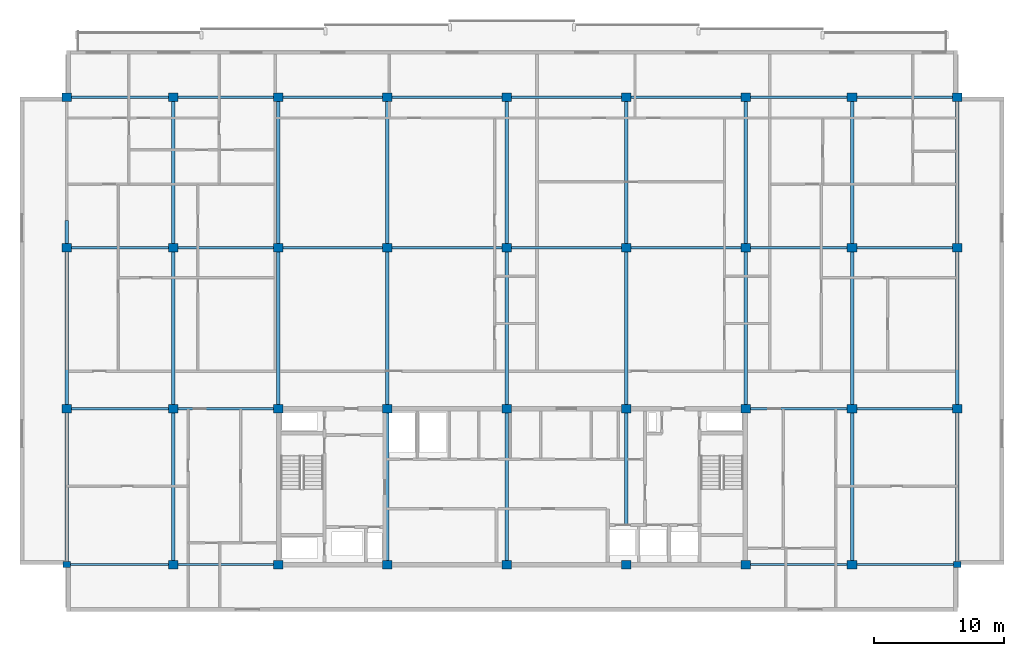
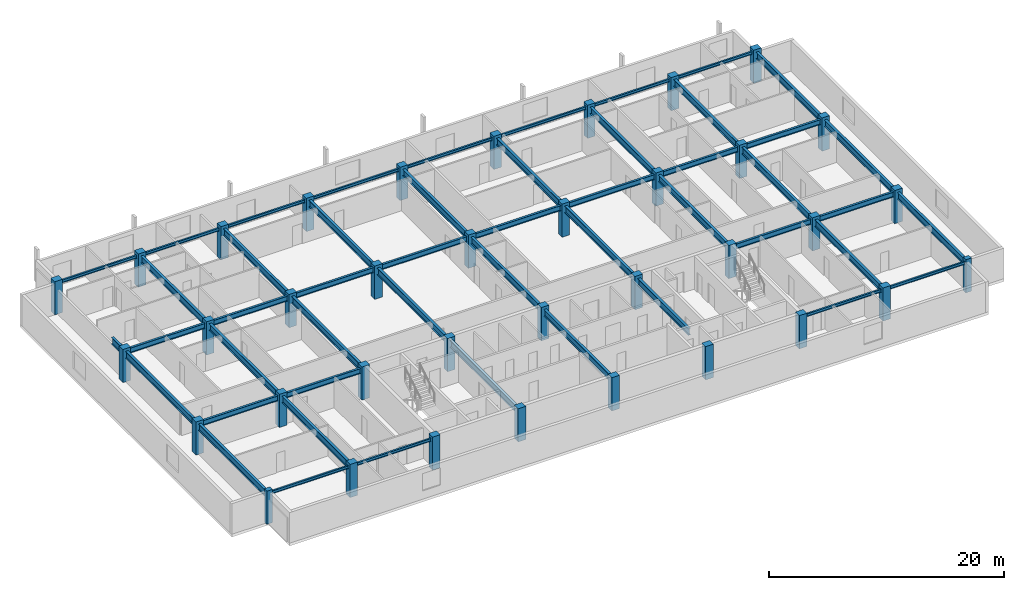
# One storey, part 1 of 10: 49 beams, 36 columns.
"""IFC4 building model written with IfcOpenShell, lengths in metres."""

from ifc_helpers import new_model, si_unit, direction, frame, origin, origin_2d, place, context, subcontext, project, spatial, rectangle, i_section, extrude, material, material_profile, profile_set, type_object, element, save


model = new_model("IFC4")

# Units and contexts
model_context = context("Model", 3, precision=1e-05, world=origin(), true_north=direction((0.0, 1.0)))
body_context = subcontext(model_context, "Body", "Model", "MODEL_VIEW")
ifc_project = project(units=[si_unit("LENGTHUNIT", "METRE"), si_unit("AREAUNIT", "SQUARE_METRE"), si_unit("VOLUMEUNIT", "CUBIC_METRE"), si_unit("PLANEANGLEUNIT", "RADIAN"), si_unit("MASSUNIT", "GRAM", prefix="KILO")], contexts=[model_context])

# Site, building, storey
site_placement = place(None, origin())
site = spatial("IfcSite", under=ifc_project, at=site_placement, CompositionType="ELEMENT")
building_placement = place(site_placement, origin())
building = spatial("IfcBuilding", under=site, at=building_placement, Name="Korimba Cascade Residences", CompositionType="ELEMENT")
storey_placement = place(building_placement, frame((0.0, 0.0, 242.449951171875)))
storey = spatial("IfcBuildingStorey", under=building, at=storey_placement, Name="L70", CompositionType="ELEMENT", Elevation=242.449951171875)

# Columns
ifc_material_1 = material(Name="Concrete C65/80", Category="concrete")
ifc_material_profile_1 = material_profile(ifc_material_1, rectangle(XDim=0.550048828125, YDim=0.449951171875, at=origin_2d()), Name="Concrete C65/80")
ifc_profile_set_1 = profile_set([ifc_material_profile_1], Name="Concrete C65/80")
column_type_1 = type_object("IfcColumnType", Name="COL-PIL-550", PredefinedType="PILASTER", material=ifc_profile_set_1)
for number, where, z_axis, x_axis, name in (
    (1, (59.800048828125, 55.199951171875, 0.0), (0.0, 0.0, 1.0), (1.0, 0.0, 0.0), "L70 Tower 1 Column 1.1"),
    (2, (128.39990234375, 55.199951171875, 0.0), (0.0, 0.0, 1.0), (1.0, 0.0, 0.0), "L70 Tower 1 Column 9.1"),
):
    element("IfcColumn", number, at=place(storey_placement, frame(where, z_axis=z_axis, x_axis=x_axis)), inside=storey, type_object=column_type_1, Name=name, PredefinedType="PILASTER", context=body_context, shape_type="SweptSolid", body=[
        extrude(rectangle(XDim=0.550048828125, YDim=0.449951171875, at=origin_2d()), origin(), (0.0, 0.0, 1.0), 3.449951171875),
    ])
ifc_material_2 = material(Name="Concrete C50/60", Category="concrete")
ifc_material_profile_2 = material_profile(ifc_material_2, rectangle(XDim=0.75, YDim=0.64990234375, at=origin_2d()), Name="Concrete C50/60")
ifc_profile_set_2 = profile_set([ifc_material_profile_2], Name="Concrete C50/60")
column_type_2 = type_object("IfcColumnType", Name="COL-RC-750", PredefinedType="COLUMN", material=ifc_profile_set_2)
for number, where, z_axis, x_axis, name in (
    (3, (59.800048828125, 67.199951171875, 0.0), (0.0, 0.0, 1.0), (1.0, 0.0, 0.0), "L70 Tower 1 Column 1.2"),
    (4, (59.800048828125, 79.60009765625, 0.0), (0.0, 0.0, 1.0), (1.0, 0.0, 0.0), "L70 Tower 1 Column 1.3"),
    (5, (59.800048828125, 91.199951171875, 0.0), (0.0, 0.0, 1.0), (1.0, 0.0, 0.0), "L70 Tower 1 Column 1.4"),
    (6, (68.0, 55.199951171875, 0.0), (0.0, 0.0, 1.0), (1.0, 0.0, 0.0), "L70 Tower 1 Column 2.1"),
    (7, (68.0, 67.199951171875, 0.0), (0.0, 0.0, 1.0), (1.0, 0.0, 0.0), "L70 Tower 1 Column 2.2"),
    (8, (68.0, 79.60009765625, 0.0), (0.0, 0.0, 1.0), (1.0, 0.0, 0.0), "L70 Tower 1 Column 2.3"),
    (9, (68.0, 91.199951171875, 0.0), (0.0, 0.0, 1.0), (1.0, 0.0, 0.0), "L70 Tower 1 Column 2.4"),
    (10, (76.10009765625, 55.199951171875, 0.0), (0.0, 0.0, 1.0), (1.0, 0.0, 0.0), "L70 Tower 1 Column 3.1"),
    (11, (76.10009765625, 67.199951171875, 0.0), (0.0, 0.0, 1.0), (1.0, 0.0, 0.0), "L70 Tower 1 Column 3.2"),
    (12, (76.10009765625, 79.60009765625, 0.0), (0.0, 0.0, 1.0), (1.0, 0.0, 0.0), "L70 Tower 1 Column 3.3"),
    (13, (76.10009765625, 91.199951171875, 0.0), (0.0, 0.0, 1.0), (1.0, 0.0, 0.0), "L70 Tower 1 Column 3.4"),
    (14, (84.5, 55.199951171875, 0.0), (0.0, 0.0, 1.0), (1.0, 0.0, 0.0), "L70 Tower 1 Column 4.1"),
    (15, (84.5, 67.199951171875, 0.0), (0.0, 0.0, 1.0), (1.0, 0.0, 0.0), "L70 Tower 1 Column 4.2"),
    (16, (84.5, 79.60009765625, 0.0), (0.0, 0.0, 1.0), (1.0, 0.0, 0.0), "L70 Tower 1 Column 4.3"),
    (17, (84.5, 91.199951171875, 0.0), (0.0, 0.0, 1.0), (1.0, 0.0, 0.0), "L70 Tower 1 Column 4.4"),
    (18, (93.699951171875, 55.199951171875, 0.0), (0.0, 0.0, 1.0), (1.0, 0.0, 0.0), "L70 Tower 1 Column 5.1"),
    (19, (93.699951171875, 67.199951171875, 0.0), (0.0, 0.0, 1.0), (1.0, 0.0, 0.0), "L70 Tower 1 Column 5.2"),
    (20, (93.699951171875, 79.60009765625, 0.0), (0.0, 0.0, 1.0), (1.0, 0.0, 0.0), "L70 Tower 1 Column 5.3"),
    (21, (93.699951171875, 91.199951171875, 0.0), (0.0, 0.0, 1.0), (1.0, 0.0, 0.0), "L70 Tower 1 Column 5.4"),
    (22, (102.89990234375, 55.199951171875, 0.0), (0.0, 0.0, 1.0), (1.0, 0.0, 0.0), "L70 Tower 1 Column 6.1"),
    (23, (102.89990234375, 67.199951171875, 0.0), (0.0, 0.0, 1.0), (1.0, 0.0, 0.0), "L70 Tower 1 Column 6.2"),
    (24, (102.89990234375, 79.60009765625, 0.0), (0.0, 0.0, 1.0), (1.0, 0.0, 0.0), "L70 Tower 1 Column 6.3"),
    (25, (102.89990234375, 91.199951171875, 0.0), (0.0, 0.0, 1.0), (1.0, 0.0, 0.0), "L70 Tower 1 Column 6.4"),
    (26, (112.10009765625, 55.199951171875, 0.0), (0.0, 0.0, 1.0), (1.0, 0.0, 0.0), "L70 Tower 1 Column 7.1"),
    (27, (112.10009765625, 67.199951171875, 0.0), (0.0, 0.0, 1.0), (1.0, 0.0, 0.0), "L70 Tower 1 Column 7.2"),
    (28, (112.10009765625, 79.60009765625, 0.0), (0.0, 0.0, 1.0), (1.0, 0.0, 0.0), "L70 Tower 1 Column 7.3"),
    (29, (112.10009765625, 91.199951171875, 0.0), (0.0, 0.0, 1.0), (1.0, 0.0, 0.0), "L70 Tower 1 Column 7.4"),
    (30, (120.300048828125, 55.199951171875, 0.0), (0.0, 0.0, 1.0), (1.0, 0.0, 0.0), "L70 Tower 1 Column 8.1"),
    (31, (120.300048828125, 67.199951171875, 0.0), (0.0, 0.0, 1.0), (1.0, 0.0, 0.0), "L70 Tower 1 Column 8.2"),
    (32, (120.300048828125, 79.60009765625, 0.0), (0.0, 0.0, 1.0), (1.0, 0.0, 0.0), "L70 Tower 1 Column 8.3"),
    (33, (120.300048828125, 91.199951171875, 0.0), (0.0, 0.0, 1.0), (1.0, 0.0, 0.0), "L70 Tower 1 Column 8.4"),
    (34, (128.39990234375, 67.199951171875, 0.0), (0.0, 0.0, 1.0), (1.0, 0.0, 0.0), "L70 Tower 1 Column 9.2"),
    (35, (128.39990234375, 79.60009765625, 0.0), (0.0, 0.0, 1.0), (1.0, 0.0, 0.0), "L70 Tower 1 Column 9.3"),
    (36, (128.39990234375, 91.199951171875, 0.0), (0.0, 0.0, 1.0), (1.0, 0.0, 0.0), "L70 Tower 1 Column 9.4"),
):
    element("IfcColumn", number, at=place(storey_placement, frame(where, z_axis=z_axis, x_axis=x_axis)), inside=storey, type_object=column_type_2, Name=name, PredefinedType="COLUMN", context=body_context, shape_type="SweptSolid", body=[
        extrude(rectangle(XDim=0.75, YDim=0.64990234375, at=origin_2d()), origin(), (0.0, 0.0, 1.0), 3.449951171875),
    ])

# Beams
ifc_material_3 = material(Name="Steel S355", Category="steel")
ifc_material_profile_3 = material_profile(ifc_material_3, i_section(OverallWidth=0.165771484375, OverallDepth=0.306640625, WebThickness=0.006591796875, FlangeThickness=0.01171875, FilletRadius=0.0087890625, at=origin_2d()), Name="Steel S355")
ifc_profile_set_3 = profile_set([ifc_material_profile_3], Name="Steel S355")
beam_type_1 = type_object("IfcBeamType", Name="BM-STL-UB305", PredefinedType="SPANDREL", material=ifc_profile_set_3)
beam_1_placement = place(storey_placement, frame((60.074951171875, 55.199951171875, 3.016845703125), z_axis=(1.0, 0.0, 0.0), x_axis=(0.0, 1.0, 0.0)))
element("IfcBeam", 37, at=beam_1_placement, inside=storey, type_object=beam_type_1, Name="L70 T1 E-W Girder Y1 Bay 1", PredefinedType="SPANDREL", context=body_context, shape_type="SweptSolid", body=[
    extrude(i_section(OverallWidth=0.165771484375, OverallDepth=0.306640625, WebThickness=0.006591796875, FlangeThickness=0.01171875, FilletRadius=0.0087890625, at=origin_2d()), origin(), (0.0, 0.0, 1.0), 7.550048828125),
])
beam_2_placement = place(storey_placement, frame((68.375, 55.199951171875, 3.016845703125), z_axis=(1.0, 0.0, 0.0), x_axis=(0.0, 1.0, 0.0)))
element("IfcBeam", 38, at=beam_2_placement, inside=storey, type_object=beam_type_1, Name="L70 T1 E-W Girder Y1 Bay 2", PredefinedType="SPANDREL", context=body_context, shape_type="SweptSolid", body=[
    extrude(i_section(OverallWidth=0.165771484375, OverallDepth=0.306640625, WebThickness=0.006591796875, FlangeThickness=0.01171875, FilletRadius=0.0087890625, at=origin_2d()), origin(), (0.0, 0.0, 1.0), 7.35009765625),
])
for number, where, z_axis, x_axis, name in (
    (39, (112.47509765625, 55.199951171875, 3.016845703125), (1.0, 0.0, 0.0), (0.0, 1.0, 0.0), "L70 T1 E-W Girder Y1 Bay 7"),
    (40, (120.675048828125, 55.199951171875, 3.016845703125), (1.0, 0.0, 0.0), (0.0, 1.0, 0.0), "L70 T1 E-W Girder Y1 Bay 8"),
    (41, (60.175048828125, 91.199951171875, 3.016845703125), (1.0, 0.0, 0.0), (0.0, 1.0, 0.0), "L70 T1 E-W Girder Y4 Bay 1"),
):
    element("IfcBeam", number, at=place(storey_placement, frame(where, z_axis=z_axis, x_axis=x_axis)), inside=storey, type_object=beam_type_1, Name=name, PredefinedType="SPANDREL", context=body_context, shape_type="SweptSolid", body=[
        extrude(i_section(OverallWidth=0.165771484375, OverallDepth=0.306640625, WebThickness=0.006591796875, FlangeThickness=0.01171875, FilletRadius=0.0087890625, at=origin_2d()), origin(), (0.0, 0.0, 1.0), 7.449951171875),
    ])
beam_3_placement = place(storey_placement, frame((68.375, 91.199951171875, 3.016845703125), z_axis=(1.0, 0.0, 0.0), x_axis=(0.0, 1.0, 0.0)))
element("IfcBeam", 42, at=beam_3_placement, inside=storey, type_object=beam_type_1, Name="L70 T1 E-W Girder Y4 Bay 2", PredefinedType="SPANDREL", context=body_context, shape_type="SweptSolid", body=[
    extrude(i_section(OverallWidth=0.165771484375, OverallDepth=0.306640625, WebThickness=0.006591796875, FlangeThickness=0.01171875, FilletRadius=0.0087890625, at=origin_2d()), origin(), (0.0, 0.0, 1.0), 7.35009765625),
])
beam_4_placement = place(storey_placement, frame((76.47509765625, 91.199951171875, 3.016845703125), z_axis=(1.0, 0.0, 0.0), x_axis=(0.0, 1.0, 0.0)))
element("IfcBeam", 43, at=beam_4_placement, inside=storey, type_object=beam_type_1, Name="L70 T1 E-W Girder Y4 Bay 3", PredefinedType="SPANDREL", context=body_context, shape_type="SweptSolid", body=[
    extrude(i_section(OverallWidth=0.165771484375, OverallDepth=0.306640625, WebThickness=0.006591796875, FlangeThickness=0.01171875, FilletRadius=0.0087890625, at=origin_2d()), origin(), (0.0, 0.0, 1.0), 7.64990234375),
])
for number, where, z_axis, x_axis, name in (
    (44, (84.875, 91.199951171875, 3.016845703125), (1.0, 0.0, 0.0), (0.0, 1.0, 0.0), "L70 T1 E-W Girder Y4 Bay 4"),
    (45, (94.074951171875, 91.199951171875, 3.016845703125), (1.0, 0.0, 0.0), (0.0, 1.0, 0.0), "L70 T1 E-W Girder Y4 Bay 5"),
):
    element("IfcBeam", number, at=place(storey_placement, frame(where, z_axis=z_axis, x_axis=x_axis)), inside=storey, type_object=beam_type_1, Name=name, PredefinedType="SPANDREL", context=body_context, shape_type="SweptSolid", body=[
        extrude(i_section(OverallWidth=0.165771484375, OverallDepth=0.306640625, WebThickness=0.006591796875, FlangeThickness=0.01171875, FilletRadius=0.0087890625, at=origin_2d()), origin(), (0.0, 0.0, 1.0), 8.449951171875),
    ])
beam_5_placement = place(storey_placement, frame((103.27490234375, 91.199951171875, 3.016845703125), z_axis=(1.0, 0.0, 0.0), x_axis=(0.0, 1.0, 0.0)))
element("IfcBeam", 46, at=beam_5_placement, inside=storey, type_object=beam_type_1, Name="L70 T1 E-W Girder Y4 Bay 6", PredefinedType="SPANDREL", context=body_context, shape_type="SweptSolid", body=[
    extrude(i_section(OverallWidth=0.165771484375, OverallDepth=0.306640625, WebThickness=0.006591796875, FlangeThickness=0.01171875, FilletRadius=0.0087890625, at=origin_2d()), origin(), (0.0, 0.0, 1.0), 8.4501953125),
])
beam_6_placement = place(storey_placement, frame((112.47509765625, 91.199951171875, 3.016845703125), z_axis=(1.0, 0.0, 0.0), x_axis=(0.0, 1.0, 0.0)))
element("IfcBeam", 47, at=beam_6_placement, inside=storey, type_object=beam_type_1, Name="L70 T1 E-W Girder Y4 Bay 7", PredefinedType="SPANDREL", context=body_context, shape_type="SweptSolid", body=[
    extrude(i_section(OverallWidth=0.165771484375, OverallDepth=0.306640625, WebThickness=0.006591796875, FlangeThickness=0.01171875, FilletRadius=0.0087890625, at=origin_2d()), origin(), (0.0, 0.0, 1.0), 7.449951171875),
])
beam_7_placement = place(storey_placement, frame((120.675048828125, 91.199951171875, 3.016845703125), z_axis=(1.0, 0.0, 0.0), x_axis=(0.0, 1.0, 0.0)))
element("IfcBeam", 48, at=beam_7_placement, inside=storey, type_object=beam_type_1, Name="L70 T1 E-W Girder Y4 Bay 8", PredefinedType="SPANDREL", context=body_context, shape_type="SweptSolid", body=[
    extrude(i_section(OverallWidth=0.165771484375, OverallDepth=0.306640625, WebThickness=0.006591796875, FlangeThickness=0.01171875, FilletRadius=0.0087890625, at=origin_2d()), origin(), (0.0, 0.0, 1.0), 7.349853515625),
])
ifc_material_profile_4 = material_profile(ifc_material_3, i_section(OverallWidth=0.2099609375, OverallDepth=0.53662109375, WebThickness=0.0107421875, FlangeThickness=0.017333984375, FilletRadius=0.0126953125, at=origin_2d()), Name="Steel S355")
ifc_profile_set_4 = profile_set([ifc_material_profile_4], Name="Steel S355")
beam_type_2 = type_object("IfcBeamType", Name="BM-STL-UB533", PredefinedType="BEAM", material=ifc_profile_set_4)
beam_8_placement = place(storey_placement, frame((60.175048828125, 67.199951171875, 2.90185546875), z_axis=(1.0, 0.0, 0.0), x_axis=(0.0, 1.0, 0.0)))
element("IfcBeam", 49, at=beam_8_placement, inside=storey, type_object=beam_type_2, Name="L70 T1 E-W Girder Y2 Bay 1", PredefinedType="BEAM", context=body_context, shape_type="SweptSolid", body=[
    extrude(i_section(OverallWidth=0.2099609375, OverallDepth=0.53662109375, WebThickness=0.0107421875, FlangeThickness=0.017333984375, FilletRadius=0.0126953125, at=origin_2d()), origin(), (0.0, 0.0, 1.0), 7.449951171875),
])
beam_9_placement = place(storey_placement, frame((68.375, 67.199951171875, 2.90185546875), z_axis=(1.0, 0.0, 0.0), x_axis=(0.0, 1.0, 0.0)))
element("IfcBeam", 50, at=beam_9_placement, inside=storey, type_object=beam_type_2, Name="L70 T1 E-W Girder Y2 Bay 2", PredefinedType="BEAM", context=body_context, shape_type="SweptSolid", body=[
    extrude(i_section(OverallWidth=0.2099609375, OverallDepth=0.53662109375, WebThickness=0.0107421875, FlangeThickness=0.017333984375, FilletRadius=0.0126953125, at=origin_2d()), origin(), (0.0, 0.0, 1.0), 7.35009765625),
])
beam_10_placement = place(storey_placement, frame((112.47509765625, 67.199951171875, 2.90185546875), z_axis=(1.0, 0.0, 0.0), x_axis=(0.0, 1.0, 0.0)))
element("IfcBeam", 51, at=beam_10_placement, inside=storey, type_object=beam_type_2, Name="L70 T1 E-W Girder Y2 Bay 7", PredefinedType="BEAM", context=body_context, shape_type="SweptSolid", body=[
    extrude(i_section(OverallWidth=0.2099609375, OverallDepth=0.53662109375, WebThickness=0.0107421875, FlangeThickness=0.017333984375, FilletRadius=0.0126953125, at=origin_2d()), origin(), (0.0, 0.0, 1.0), 7.449951171875),
])
beam_11_placement = place(storey_placement, frame((120.675048828125, 67.199951171875, 2.90185546875), z_axis=(1.0, 0.0, 0.0), x_axis=(0.0, 1.0, 0.0)))
element("IfcBeam", 52, at=beam_11_placement, inside=storey, type_object=beam_type_2, Name="L70 T1 E-W Girder Y2 Bay 8", PredefinedType="BEAM", context=body_context, shape_type="SweptSolid", body=[
    extrude(i_section(OverallWidth=0.2099609375, OverallDepth=0.53662109375, WebThickness=0.0107421875, FlangeThickness=0.017333984375, FilletRadius=0.0126953125, at=origin_2d()), origin(), (0.0, 0.0, 1.0), 7.349853515625),
])
beam_12_placement = place(storey_placement, frame((60.175048828125, 79.60009765625, 2.90185546875), z_axis=(1.0, 0.0, 0.0), x_axis=(0.0, 1.0, 0.0)))
element("IfcBeam", 53, at=beam_12_placement, inside=storey, type_object=beam_type_2, Name="L70 T1 E-W Girder Y3 Bay 1", PredefinedType="BEAM", context=body_context, shape_type="SweptSolid", body=[
    extrude(i_section(OverallWidth=0.2099609375, OverallDepth=0.53662109375, WebThickness=0.0107421875, FlangeThickness=0.017333984375, FilletRadius=0.0126953125, at=origin_2d()), origin(), (0.0, 0.0, 1.0), 7.449951171875),
])
beam_13_placement = place(storey_placement, frame((68.375, 79.60009765625, 2.90185546875), z_axis=(1.0, 0.0, 0.0), x_axis=(0.0, 1.0, 0.0)))
element("IfcBeam", 54, at=beam_13_placement, inside=storey, type_object=beam_type_2, Name="L70 T1 E-W Girder Y3 Bay 2", PredefinedType="BEAM", context=body_context, shape_type="SweptSolid", body=[
    extrude(i_section(OverallWidth=0.2099609375, OverallDepth=0.53662109375, WebThickness=0.0107421875, FlangeThickness=0.017333984375, FilletRadius=0.0126953125, at=origin_2d()), origin(), (0.0, 0.0, 1.0), 7.35009765625),
])
beam_14_placement = place(storey_placement, frame((76.47509765625, 79.60009765625, 2.90185546875), z_axis=(1.0, 0.0, 0.0), x_axis=(0.0, 1.0, 0.0)))
element("IfcBeam", 55, at=beam_14_placement, inside=storey, type_object=beam_type_2, Name="L70 T1 E-W Girder Y3 Bay 3", PredefinedType="BEAM", context=body_context, shape_type="SweptSolid", body=[
    extrude(i_section(OverallWidth=0.2099609375, OverallDepth=0.53662109375, WebThickness=0.0107421875, FlangeThickness=0.017333984375, FilletRadius=0.0126953125, at=origin_2d()), origin(), (0.0, 0.0, 1.0), 7.64990234375),
])
for number, where, z_axis, x_axis, name in (
    (56, (84.875, 79.60009765625, 2.90185546875), (1.0, 0.0, 0.0), (0.0, 1.0, 0.0), "L70 T1 E-W Girder Y3 Bay 4"),
    (57, (94.074951171875, 79.60009765625, 2.90185546875), (1.0, 0.0, 0.0), (0.0, 1.0, 0.0), "L70 T1 E-W Girder Y3 Bay 5"),
):
    element("IfcBeam", number, at=place(storey_placement, frame(where, z_axis=z_axis, x_axis=x_axis)), inside=storey, type_object=beam_type_2, Name=name, PredefinedType="BEAM", context=body_context, shape_type="SweptSolid", body=[
        extrude(i_section(OverallWidth=0.2099609375, OverallDepth=0.53662109375, WebThickness=0.0107421875, FlangeThickness=0.017333984375, FilletRadius=0.0126953125, at=origin_2d()), origin(), (0.0, 0.0, 1.0), 8.449951171875),
    ])
beam_15_placement = place(storey_placement, frame((103.27490234375, 79.60009765625, 2.90185546875), z_axis=(1.0, 0.0, 0.0), x_axis=(0.0, 1.0, 0.0)))
element("IfcBeam", 58, at=beam_15_placement, inside=storey, type_object=beam_type_2, Name="L70 T1 E-W Girder Y3 Bay 6", PredefinedType="BEAM", context=body_context, shape_type="SweptSolid", body=[
    extrude(i_section(OverallWidth=0.2099609375, OverallDepth=0.53662109375, WebThickness=0.0107421875, FlangeThickness=0.017333984375, FilletRadius=0.0126953125, at=origin_2d()), origin(), (0.0, 0.0, 1.0), 8.4501953125),
])
beam_16_placement = place(storey_placement, frame((112.47509765625, 79.60009765625, 2.90185546875), z_axis=(1.0, 0.0, 0.0), x_axis=(0.0, 1.0, 0.0)))
element("IfcBeam", 59, at=beam_16_placement, inside=storey, type_object=beam_type_2, Name="L70 T1 E-W Girder Y3 Bay 7", PredefinedType="BEAM", context=body_context, shape_type="SweptSolid", body=[
    extrude(i_section(OverallWidth=0.2099609375, OverallDepth=0.53662109375, WebThickness=0.0107421875, FlangeThickness=0.017333984375, FilletRadius=0.0126953125, at=origin_2d()), origin(), (0.0, 0.0, 1.0), 7.449951171875),
])
beam_17_placement = place(storey_placement, frame((120.675048828125, 79.60009765625, 2.90185546875), z_axis=(1.0, 0.0, 0.0), x_axis=(0.0, 1.0, 0.0)))
element("IfcBeam", 60, at=beam_17_placement, inside=storey, type_object=beam_type_2, Name="L70 T1 E-W Girder Y3 Bay 8", PredefinedType="BEAM", context=body_context, shape_type="SweptSolid", body=[
    extrude(i_section(OverallWidth=0.2099609375, OverallDepth=0.53662109375, WebThickness=0.0107421875, FlangeThickness=0.017333984375, FilletRadius=0.0126953125, at=origin_2d()), origin(), (0.0, 0.0, 1.0), 7.349853515625),
])
ifc_material_profile_5 = material_profile(ifc_material_3, i_section(OverallWidth=0.255859375, OverallDepth=0.69287109375, WebThickness=0.014404296875, FlangeThickness=0.023681640625, FilletRadius=0.01513671875, at=origin_2d()), Name="Steel S355")
ifc_profile_set_5 = profile_set([ifc_material_profile_5], Name="Steel S355")
beam_type_3 = type_object("IfcBeamType", Name="BM-STL-UB686", PredefinedType="BEAM", material=ifc_profile_set_5)
beam_18_placement = place(storey_placement, frame((59.800048828125, 55.425048828125, 2.82373046875), z_axis=(0.0, 1.0, 0.0), x_axis=(-1.0, 0.0, 0.0)))
element("IfcBeam", 61, at=beam_18_placement, inside=storey, type_object=beam_type_3, Name="L70 T1 N-S Girder X1 Seg 1", PredefinedType="BEAM", context=body_context, shape_type="SweptSolid", body=[
    extrude(i_section(OverallWidth=0.255859375, OverallDepth=0.69287109375, WebThickness=0.014404296875, FlangeThickness=0.023681640625, FilletRadius=0.01513671875, at=origin_2d()), origin(), (0.0, 0.0, 1.0), 11.449951171875),
])
beam_19_placement = place(storey_placement, frame((59.800048828125, 67.52490234375, 2.82373046875), z_axis=(0.0, 1.0, 0.0), x_axis=(-1.0, 0.0, 0.0)))
element("IfcBeam", 62, at=beam_19_placement, inside=storey, type_object=beam_type_3, Name="L70 T1 N-S Girder X1 Seg 2", PredefinedType="BEAM", context=body_context, shape_type="SweptSolid", body=[
    extrude(i_section(OverallWidth=0.255859375, OverallDepth=0.69287109375, WebThickness=0.014404296875, FlangeThickness=0.023681640625, FilletRadius=0.01513671875, at=origin_2d()), origin(), (0.0, 0.0, 1.0), 11.75),
])
beam_20_placement = place(storey_placement, frame((59.800048828125, 79.925048828125, 2.82373046875), z_axis=(0.0, 1.0, 0.0), x_axis=(-1.0, 0.0, 0.0)))
element("IfcBeam", 63, at=beam_20_placement, inside=storey, type_object=beam_type_3, Name="L70 T1 N-S Girder X1 Seg 3", PredefinedType="BEAM", context=body_context, shape_type="SweptSolid", body=[
    extrude(i_section(OverallWidth=0.255859375, OverallDepth=0.69287109375, WebThickness=0.014404296875, FlangeThickness=0.023681640625, FilletRadius=0.01513671875, at=origin_2d()), origin(), (0.0, 0.0, 1.0), 1.77490234375),
])
beam_21_placement = place(storey_placement, frame((68.0, 55.52490234375, 2.82373046875), z_axis=(0.0, 1.0, 0.0), x_axis=(-1.0, 0.0, 0.0)))
element("IfcBeam", 64, at=beam_21_placement, inside=storey, type_object=beam_type_3, Name="L70 T1 N-S Girder X2 Seg 1", PredefinedType="BEAM", context=body_context, shape_type="SweptSolid", body=[
    extrude(i_section(OverallWidth=0.255859375, OverallDepth=0.69287109375, WebThickness=0.014404296875, FlangeThickness=0.023681640625, FilletRadius=0.01513671875, at=origin_2d()), origin(), (0.0, 0.0, 1.0), 11.35009765625),
])
beam_22_placement = place(storey_placement, frame((68.0, 67.52490234375, 2.82373046875), z_axis=(0.0, 1.0, 0.0), x_axis=(-1.0, 0.0, 0.0)))
element("IfcBeam", 65, at=beam_22_placement, inside=storey, type_object=beam_type_3, Name="L70 T1 N-S Girder X2 Seg 2", PredefinedType="BEAM", context=body_context, shape_type="SweptSolid", body=[
    extrude(i_section(OverallWidth=0.255859375, OverallDepth=0.69287109375, WebThickness=0.014404296875, FlangeThickness=0.023681640625, FilletRadius=0.01513671875, at=origin_2d()), origin(), (0.0, 0.0, 1.0), 11.75),
])
beam_23_placement = place(storey_placement, frame((68.0, 79.925048828125, 2.82373046875), z_axis=(0.0, 1.0, 0.0), x_axis=(-1.0, 0.0, 0.0)))
element("IfcBeam", 66, at=beam_23_placement, inside=storey, type_object=beam_type_3, Name="L70 T1 N-S Girder X2 Seg 3", PredefinedType="BEAM", context=body_context, shape_type="SweptSolid", body=[
    extrude(i_section(OverallWidth=0.255859375, OverallDepth=0.69287109375, WebThickness=0.014404296875, FlangeThickness=0.023681640625, FilletRadius=0.01513671875, at=origin_2d()), origin(), (0.0, 0.0, 1.0), 10.949951171875),
])
beam_24_placement = place(storey_placement, frame((76.10009765625, 67.52490234375, 2.82373046875), z_axis=(0.0, 1.0, 0.0), x_axis=(-1.0, 0.0, 0.0)))
element("IfcBeam", 67, at=beam_24_placement, inside=storey, type_object=beam_type_3, Name="L70 T1 N-S Girder X3 Seg 2", PredefinedType="BEAM", context=body_context, shape_type="SweptSolid", body=[
    extrude(i_section(OverallWidth=0.255859375, OverallDepth=0.69287109375, WebThickness=0.014404296875, FlangeThickness=0.023681640625, FilletRadius=0.01513671875, at=origin_2d()), origin(), (0.0, 0.0, 1.0), 11.75),
])
beam_25_placement = place(storey_placement, frame((76.10009765625, 79.925048828125, 2.82373046875), z_axis=(0.0, 1.0, 0.0), x_axis=(-1.0, 0.0, 0.0)))
element("IfcBeam", 68, at=beam_25_placement, inside=storey, type_object=beam_type_3, Name="L70 T1 N-S Girder X3 Seg 3", PredefinedType="BEAM", context=body_context, shape_type="SweptSolid", body=[
    extrude(i_section(OverallWidth=0.255859375, OverallDepth=0.69287109375, WebThickness=0.014404296875, FlangeThickness=0.023681640625, FilletRadius=0.01513671875, at=origin_2d()), origin(), (0.0, 0.0, 1.0), 10.949951171875),
])
beam_26_placement = place(storey_placement, frame((84.5, 55.52490234375, 2.82373046875), z_axis=(0.0, 1.0, 0.0), x_axis=(-1.0, 0.0, 0.0)))
element("IfcBeam", 69, at=beam_26_placement, inside=storey, type_object=beam_type_3, Name="L70 T1 N-S Girder X4 Seg 1", PredefinedType="BEAM", context=body_context, shape_type="SweptSolid", body=[
    extrude(i_section(OverallWidth=0.255859375, OverallDepth=0.69287109375, WebThickness=0.014404296875, FlangeThickness=0.023681640625, FilletRadius=0.01513671875, at=origin_2d()), origin(), (0.0, 0.0, 1.0), 11.35009765625),
])
beam_27_placement = place(storey_placement, frame((84.5, 67.52490234375, 2.82373046875), z_axis=(0.0, 1.0, 0.0), x_axis=(-1.0, 0.0, 0.0)))
element("IfcBeam", 70, at=beam_27_placement, inside=storey, type_object=beam_type_3, Name="L70 T1 N-S Girder X4 Seg 2", PredefinedType="BEAM", context=body_context, shape_type="SweptSolid", body=[
    extrude(i_section(OverallWidth=0.255859375, OverallDepth=0.69287109375, WebThickness=0.014404296875, FlangeThickness=0.023681640625, FilletRadius=0.01513671875, at=origin_2d()), origin(), (0.0, 0.0, 1.0), 11.75),
])
beam_28_placement = place(storey_placement, frame((84.5, 79.925048828125, 2.82373046875), z_axis=(0.0, 1.0, 0.0), x_axis=(-1.0, 0.0, 0.0)))
element("IfcBeam", 71, at=beam_28_placement, inside=storey, type_object=beam_type_3, Name="L70 T1 N-S Girder X4 Seg 3", PredefinedType="BEAM", context=body_context, shape_type="SweptSolid", body=[
    extrude(i_section(OverallWidth=0.255859375, OverallDepth=0.69287109375, WebThickness=0.014404296875, FlangeThickness=0.023681640625, FilletRadius=0.01513671875, at=origin_2d()), origin(), (0.0, 0.0, 1.0), 10.949951171875),
])
beam_29_placement = place(storey_placement, frame((93.699951171875, 55.52490234375, 2.82373046875), z_axis=(0.0, 1.0, 0.0), x_axis=(-1.0, 0.0, 0.0)))
element("IfcBeam", 72, at=beam_29_placement, inside=storey, type_object=beam_type_3, Name="L70 T1 N-S Girder X5 Seg 1", PredefinedType="BEAM", context=body_context, shape_type="SweptSolid", body=[
    extrude(i_section(OverallWidth=0.255859375, OverallDepth=0.69287109375, WebThickness=0.014404296875, FlangeThickness=0.023681640625, FilletRadius=0.01513671875, at=origin_2d()), origin(), (0.0, 0.0, 1.0), 11.35009765625),
])
beam_30_placement = place(storey_placement, frame((93.699951171875, 67.52490234375, 2.82373046875), z_axis=(0.0, 1.0, 0.0), x_axis=(-1.0, 0.0, 0.0)))
element("IfcBeam", 73, at=beam_30_placement, inside=storey, type_object=beam_type_3, Name="L70 T1 N-S Girder X5 Seg 2", PredefinedType="BEAM", context=body_context, shape_type="SweptSolid", body=[
    extrude(i_section(OverallWidth=0.255859375, OverallDepth=0.69287109375, WebThickness=0.014404296875, FlangeThickness=0.023681640625, FilletRadius=0.01513671875, at=origin_2d()), origin(), (0.0, 0.0, 1.0), 11.75),
])
beam_31_placement = place(storey_placement, frame((93.699951171875, 79.925048828125, 2.82373046875), z_axis=(0.0, 1.0, 0.0), x_axis=(-1.0, 0.0, 0.0)))
element("IfcBeam", 74, at=beam_31_placement, inside=storey, type_object=beam_type_3, Name="L70 T1 N-S Girder X5 Seg 3", PredefinedType="BEAM", context=body_context, shape_type="SweptSolid", body=[
    extrude(i_section(OverallWidth=0.255859375, OverallDepth=0.69287109375, WebThickness=0.014404296875, FlangeThickness=0.023681640625, FilletRadius=0.01513671875, at=origin_2d()), origin(), (0.0, 0.0, 1.0), 10.949951171875),
])
beam_32_placement = place(storey_placement, frame((102.89990234375, 58.260009765625, 2.82373046875), z_axis=(0.0, 1.0, 0.0), x_axis=(-1.0, 0.0, 0.0)))
element("IfcBeam", 75, at=beam_32_placement, inside=storey, type_object=beam_type_3, Name="L70 T1 N-S Girder X6 Seg 1", PredefinedType="BEAM", context=body_context, shape_type="SweptSolid", body=[
    extrude(i_section(OverallWidth=0.255859375, OverallDepth=0.69287109375, WebThickness=0.014404296875, FlangeThickness=0.023681640625, FilletRadius=0.01513671875, at=origin_2d()), origin(), (0.0, 0.0, 1.0), 8.614990234375),
])
beam_33_placement = place(storey_placement, frame((102.89990234375, 67.52490234375, 2.82373046875), z_axis=(0.0, 1.0, 0.0), x_axis=(-1.0, 0.0, 0.0)))
element("IfcBeam", 76, at=beam_33_placement, inside=storey, type_object=beam_type_3, Name="L70 T1 N-S Girder X6 Seg 2", PredefinedType="BEAM", context=body_context, shape_type="SweptSolid", body=[
    extrude(i_section(OverallWidth=0.255859375, OverallDepth=0.69287109375, WebThickness=0.014404296875, FlangeThickness=0.023681640625, FilletRadius=0.01513671875, at=origin_2d()), origin(), (0.0, 0.0, 1.0), 11.75),
])
beam_34_placement = place(storey_placement, frame((102.89990234375, 79.925048828125, 2.82373046875), z_axis=(0.0, 1.0, 0.0), x_axis=(-1.0, 0.0, 0.0)))
element("IfcBeam", 77, at=beam_34_placement, inside=storey, type_object=beam_type_3, Name="L70 T1 N-S Girder X6 Seg 3", PredefinedType="BEAM", context=body_context, shape_type="SweptSolid", body=[
    extrude(i_section(OverallWidth=0.255859375, OverallDepth=0.69287109375, WebThickness=0.014404296875, FlangeThickness=0.023681640625, FilletRadius=0.01513671875, at=origin_2d()), origin(), (0.0, 0.0, 1.0), 10.949951171875),
])
beam_35_placement = place(storey_placement, frame((112.10009765625, 67.52490234375, 2.82373046875), z_axis=(0.0, 1.0, 0.0), x_axis=(-1.0, 0.0, 0.0)))
element("IfcBeam", 78, at=beam_35_placement, inside=storey, type_object=beam_type_3, Name="L70 T1 N-S Girder X7 Seg 2", PredefinedType="BEAM", context=body_context, shape_type="SweptSolid", body=[
    extrude(i_section(OverallWidth=0.255859375, OverallDepth=0.69287109375, WebThickness=0.014404296875, FlangeThickness=0.023681640625, FilletRadius=0.01513671875, at=origin_2d()), origin(), (0.0, 0.0, 1.0), 11.75),
])
beam_36_placement = place(storey_placement, frame((112.10009765625, 79.925048828125, 2.82373046875), z_axis=(0.0, 1.0, 0.0), x_axis=(-1.0, 0.0, 0.0)))
element("IfcBeam", 79, at=beam_36_placement, inside=storey, type_object=beam_type_3, Name="L70 T1 N-S Girder X7 Seg 3", PredefinedType="BEAM", context=body_context, shape_type="SweptSolid", body=[
    extrude(i_section(OverallWidth=0.255859375, OverallDepth=0.69287109375, WebThickness=0.014404296875, FlangeThickness=0.023681640625, FilletRadius=0.01513671875, at=origin_2d()), origin(), (0.0, 0.0, 1.0), 10.949951171875),
])
beam_37_placement = place(storey_placement, frame((120.300048828125, 55.52490234375, 2.82373046875), z_axis=(0.0, 1.0, 0.0), x_axis=(-1.0, 0.0, 0.0)))
element("IfcBeam", 80, at=beam_37_placement, inside=storey, type_object=beam_type_3, Name="L70 T1 N-S Girder X8 Seg 1", PredefinedType="BEAM", context=body_context, shape_type="SweptSolid", body=[
    extrude(i_section(OverallWidth=0.255859375, OverallDepth=0.69287109375, WebThickness=0.014404296875, FlangeThickness=0.023681640625, FilletRadius=0.01513671875, at=origin_2d()), origin(), (0.0, 0.0, 1.0), 11.35009765625),
])
beam_38_placement = place(storey_placement, frame((120.300048828125, 67.52490234375, 2.82373046875), z_axis=(0.0, 1.0, 0.0), x_axis=(-1.0, 0.0, 0.0)))
element("IfcBeam", 81, at=beam_38_placement, inside=storey, type_object=beam_type_3, Name="L70 T1 N-S Girder X8 Seg 2", PredefinedType="BEAM", context=body_context, shape_type="SweptSolid", body=[
    extrude(i_section(OverallWidth=0.255859375, OverallDepth=0.69287109375, WebThickness=0.014404296875, FlangeThickness=0.023681640625, FilletRadius=0.01513671875, at=origin_2d()), origin(), (0.0, 0.0, 1.0), 11.75),
])
beam_39_placement = place(storey_placement, frame((120.300048828125, 79.925048828125, 2.82373046875), z_axis=(0.0, 1.0, 0.0), x_axis=(-1.0, 0.0, 0.0)))
element("IfcBeam", 82, at=beam_39_placement, inside=storey, type_object=beam_type_3, Name="L70 T1 N-S Girder X8 Seg 3", PredefinedType="BEAM", context=body_context, shape_type="SweptSolid", body=[
    extrude(i_section(OverallWidth=0.255859375, OverallDepth=0.69287109375, WebThickness=0.014404296875, FlangeThickness=0.023681640625, FilletRadius=0.01513671875, at=origin_2d()), origin(), (0.0, 0.0, 1.0), 10.949951171875),
])
beam_40_placement = place(storey_placement, frame((128.39990234375, 55.425048828125, 2.82373046875), z_axis=(0.0, 1.0, 0.0), x_axis=(-1.0, 0.0, 0.0)))
element("IfcBeam", 83, at=beam_40_placement, inside=storey, type_object=beam_type_3, Name="L70 T1 N-S Girder X9 Seg 1", PredefinedType="BEAM", context=body_context, shape_type="SweptSolid", body=[
    extrude(i_section(OverallWidth=0.255859375, OverallDepth=0.69287109375, WebThickness=0.014404296875, FlangeThickness=0.023681640625, FilletRadius=0.01513671875, at=origin_2d()), origin(), (0.0, 0.0, 1.0), 11.449951171875),
])
beam_41_placement = place(storey_placement, frame((128.39990234375, 67.52490234375, 2.82373046875), z_axis=(0.0, 1.0, 0.0), x_axis=(-1.0, 0.0, 0.0)))
element("IfcBeam", 84, at=beam_41_placement, inside=storey, type_object=beam_type_3, Name="L70 T1 N-S Girder X9 Seg 2", PredefinedType="BEAM", context=body_context, shape_type="SweptSolid", body=[
    extrude(i_section(OverallWidth=0.255859375, OverallDepth=0.69287109375, WebThickness=0.014404296875, FlangeThickness=0.023681640625, FilletRadius=0.01513671875, at=origin_2d()), origin(), (0.0, 0.0, 1.0), 11.75),
])
beam_42_placement = place(storey_placement, frame((128.39990234375, 79.925048828125, 2.82373046875), z_axis=(0.0, 1.0, 0.0), x_axis=(-1.0, 0.0, 0.0)))
element("IfcBeam", 85, at=beam_42_placement, inside=storey, type_object=beam_type_3, Name="L70 T1 N-S Girder X9 Seg 3", PredefinedType="BEAM", context=body_context, shape_type="SweptSolid", body=[
    extrude(i_section(OverallWidth=0.255859375, OverallDepth=0.69287109375, WebThickness=0.014404296875, FlangeThickness=0.023681640625, FilletRadius=0.01513671875, at=origin_2d()), origin(), (0.0, 0.0, 1.0), 10.949951171875),
])

save(model, "model.ifc")
